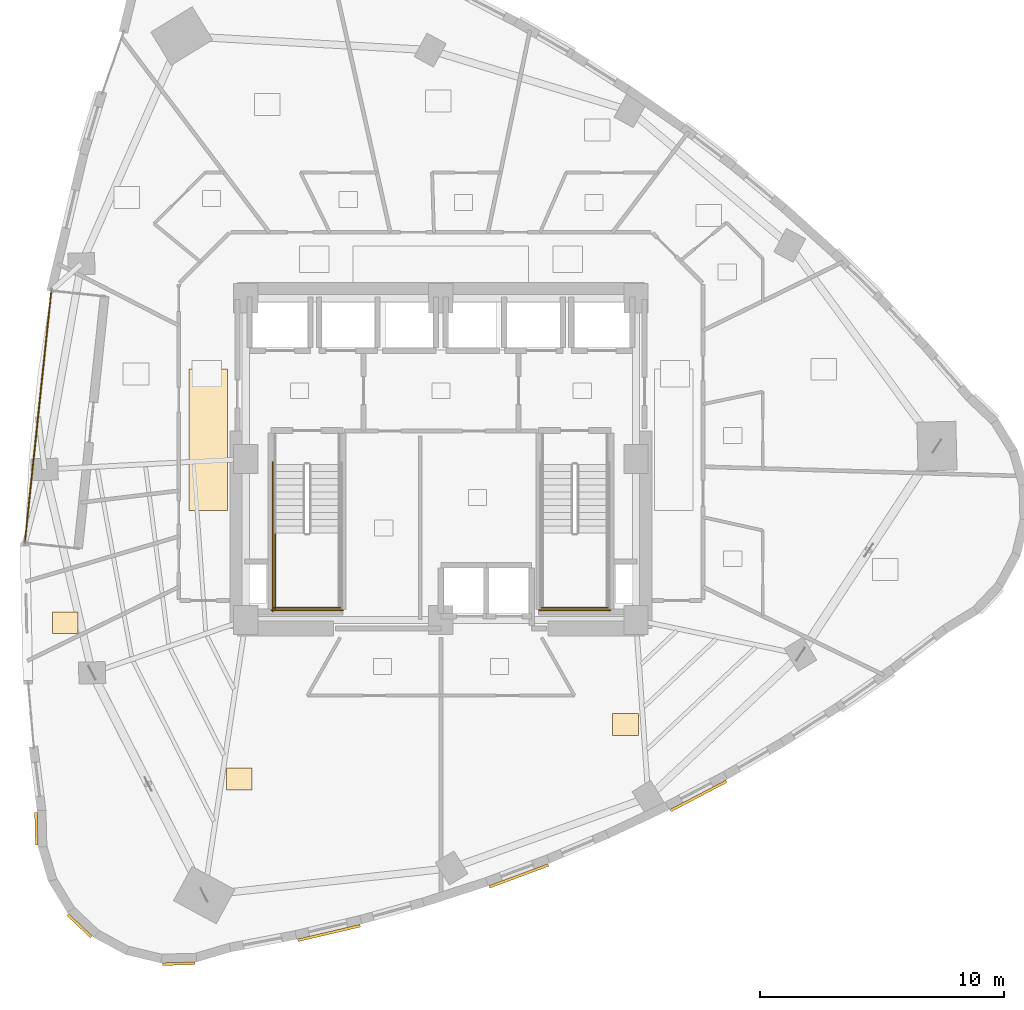
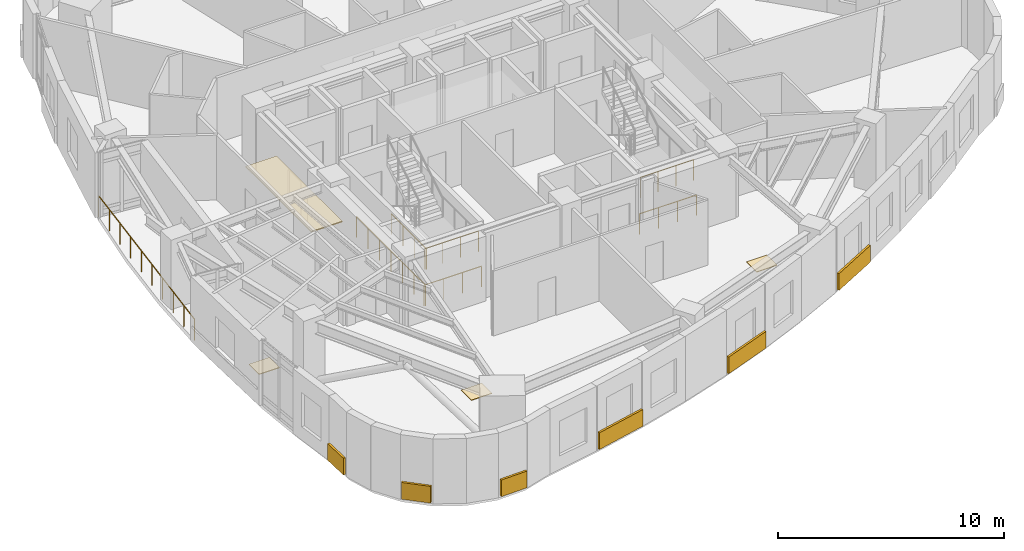
# One storey, part 14 of 16: 10 coverings, 7 railings.
"""IFC4 building model written with IfcOpenShell, lengths in metres."""

from ifc_helpers import new_model, si_unit, direction, frame, origin, origin_2d, place, context, subcontext, project, spatial, rectangle, circle, extrude, material, layer, layer_set, type_object, element, save


model = new_model("IFC4")

# Units and contexts
model_context = context("Model", 3, precision=1e-05, world=origin(), true_north=direction((0.0, 1.0)))
body_context = subcontext(model_context, "Body", "Model", "MODEL_VIEW")
ifc_project = project(units=[si_unit("LENGTHUNIT", "METRE"), si_unit("AREAUNIT", "SQUARE_METRE"), si_unit("VOLUMEUNIT", "CUBIC_METRE"), si_unit("PLANEANGLEUNIT", "RADIAN"), si_unit("MASSUNIT", "GRAM", prefix="KILO")], contexts=[model_context])

# Site, building, storey
site_placement = place(None, origin())
site = spatial("IfcSite", under=ifc_project, at=site_placement, CompositionType="ELEMENT")
building_placement = place(site_placement, origin())
building = spatial("IfcBuilding", under=site, at=building_placement, Name="Ndelora Gate Hotel", CompositionType="ELEMENT")
storey_placement = place(building_placement, frame((0.0, 0.0, 97.25)))
storey = spatial("IfcBuildingStorey", under=building, at=storey_placement, Name="L23", CompositionType="ELEMENT", Elevation=97.25)

# Coverings
ifc_material_1 = material(Name="Perforated Acoustic Gypsum Board", Category="gypsum")
ifc_layer_1 = layer(ifc_material_1, 0.054931640625)
ifc_layer_set_1 = layer_set([ifc_layer_1], Name="Perforated Acoustic Gypsum Board")
covering_type_1 = type_object("IfcCoveringType", Name="COV-CEIL-AC60", PredefinedType="CEILING", material=ifc_layer_set_1)
covering_1_placement = place(storey_placement, frame((-9.550048828125, 0.800048828125, 2.65234375), z_axis=(0.0, 0.0, 1.0), x_axis=(1.0, 0.0, 0.0)))
element("IfcCovering", 1, at=covering_1_placement, inside=storey, type_object=covering_type_1, Name="L23 Guest Corridor Acoustic Ceiling W", PredefinedType="CEILING", context=body_context, shape_type="SweptSolid", body=[
    extrude(rectangle(XDim=1.580078125, YDim=5.800048828125, at=origin_2d()), origin(), (0.0, 0.0, 1.0), 0.054931640625),
])
ifc_material_2 = material(Name="Terracotta Fired Clay Brick Slip Cladding", Category="masonry")
ifc_layer_2 = layer(ifc_material_2, 0.110107421875)
ifc_layer_set_2 = layer_set([ifc_layer_2], Name="Terracotta Fired Clay Brick Slip Cladding")
covering_type_2 = type_object("IfcCoveringType", Name="COV-CLAD-BRK", PredefinedType="CLADDING", material=ifc_layer_set_2)
for number, where, z_axis, x_axis, name in (
    (2, (-16.593994140625, -15.164306640625, 0.10009765625), (0.0, 0.0, 1.0), (-0.026176948308, 0.999657324976, 0.0), "L23 Rounded-Corner Brick Cladding Band 19"),
    (3, (-14.82373046875, -19.140380859375, 0.10009765625), (0.0, 0.0, 1.0), (-0.725374371012, 0.688354575694, 0.0), "L23 Rounded-Corner Brick Cladding Band 22"),
    (4, (-10.7607421875, -20.7001953125, 0.10009765625), (0.0, 0.0, 1.0), (0.999657324976, 0.026176948308, 0.0), "L23 Rounded-Corner Brick Cladding Band 25"),
):
    element("IfcCovering", number, at=place(storey_placement, frame(where, z_axis=z_axis, x_axis=x_axis)), inside=storey, type_object=covering_type_2, Name=name, PredefinedType="CLADDING", context=body_context, shape_type="SweptSolid", body=[
        extrude(rectangle(XDim=1.3359375, YDim=0.110107421875, at=origin_2d()), origin(), (0.0, 0.0, 1.0), 0.89990234375),
    ])
covering_2_placement = place(storey_placement, frame((-4.589111328125, -19.439453125, 0.10009765625), z_axis=(0.0, 0.0, 1.0), x_axis=(0.973698333648, 0.227841074111, 0.0)))
element("IfcCovering", 5, at=covering_2_placement, inside=storey, type_object=covering_type_2, Name="L23 Rounded-Corner Brick Cladding Band 28", PredefinedType="CLADDING", context=body_context, shape_type="SweptSolid", body=[
    extrude(rectangle(XDim=2.6279296875, YDim=0.110107421875, at=origin_2d()), origin(), (0.0, 0.0, 1.0), 0.89990234375),
])
for number, where, z_axis, x_axis, name in (
    (6, (3.19775390625, -17.098388671875, 0.10009765625), (0.0, 0.0, 1.0), (0.937585819058, 0.347753981862, 0.0), "L23 Rounded-Corner Brick Cladding Band 31"),
    (7, (10.56689453125, -13.8173828125, 0.10009765625), (0.0, 0.0, 1.0), (0.88579893978, 0.464069217127, 0.0), "L23 Rounded-Corner Brick Cladding Band 34"),
):
    element("IfcCovering", number, at=place(storey_placement, frame(where, z_axis=z_axis, x_axis=x_axis)), inside=storey, type_object=covering_type_2, Name=name, PredefinedType="CLADDING", context=body_context, shape_type="SweptSolid", body=[
        extrude(rectangle(XDim=2.583984375, YDim=0.110107421875, at=origin_2d()), origin(), (0.0, 0.0, 1.0), 0.89990234375),
    ])
ifc_material_3 = material(Name="Engineered Highland Oak Parquet", Category="wood")
ifc_layer_3 = layer(ifc_material_3, 0.030029296875)
ifc_layer_set_3 = layer_set([ifc_layer_3], Name="Engineered Highland Oak Parquet")
covering_type_3 = type_object("IfcCoveringType", Name="COV-FLR-PARQ", PredefinedType="FLOORING", material=ifc_layer_set_3)
for number, where, z_axis, x_axis, name in (
    (8, (-8.272705078125, -13.125732421875, 0.0), (0.0, 0.0, 1.0), (1.0, 0.0, 0.0), "L23 Club King Corner Suite 2601 Oak Parquet Flooring"),
    (9, (7.570068359375, -10.87744140625, 0.0), (0.0, 0.0, 1.0), (1.0, 0.0, 0.0), "L23 Club Twin Corner Suite 2602 Oak Parquet Flooring"),
    (10, (-15.40478515625, -6.713134765625, 0.0), (0.0, 0.0, 1.0), (1.0, 0.0, 0.0), "L23 Female Public Restroom Oak Parquet Flooring"),
):
    element("IfcCovering", number, at=place(storey_placement, frame(where, z_axis=z_axis, x_axis=x_axis)), inside=storey, type_object=covering_type_3, Name=name, PredefinedType="FLOORING", context=body_context, shape_type="SweptSolid", body=[
        extrude(rectangle(XDim=1.050048828125, YDim=0.89990234375, at=origin_2d()), origin(), (0.0, 0.0, 1.0), 0.030029296875),
    ])

# Railings
ifc_material_4 = material(Name="Laminated Safety Glass and Bronze Top Rail", Category="glass")
ifc_layer_4 = layer(ifc_material_4, 0.070068359375)
ifc_layer_set_4 = layer_set([ifc_layer_4], Name="Laminated Safety Glass and Bronze Top Rail")
railing_type_1 = type_object("IfcRailingType", Name="RL-BAL-1150", PredefinedType="BALUSTRADE", material=ifc_layer_set_4)
railing_1_placement = place(storey_placement, frame((-15.98095703125, 6.908203125, 0.0)))
element("IfcRailing", 11, at=railing_1_placement, inside=storey, type_object=railing_type_1, Name="L23 Sky-Garden Loggia Terrace Balustrade", PredefinedType="BALUSTRADE", context=body_context, shape_type="SweptSolid", body=[
    extrude(circle(Radius=0.02392578125, at=origin_2d()), frame((0.0, 0.0, 1.1357421875), z_axis=(-0.104534478571, -0.994521263116, 0.0), x_axis=(0.994521263116, -0.104534478571, 0.0)), (0.0, 0.0, 1.0), 10.39990234375),
    extrude(circle(Radius=0.02099609375, at=origin_2d()), origin(), (0.0, 0.0, 1.0), 1.11181640625),
    extrude(circle(Radius=0.02099609375, at=origin_2d()), frame((-0.120849609375, -1.149169921875, 0.0)), (0.0, 0.0, 1.0), 1.11181640625),
    extrude(circle(Radius=0.02099609375, at=origin_2d()), frame((-0.24169921875, -2.29833984375, 0.0)), (0.0, 0.0, 1.0), 1.11181640625),
    extrude(circle(Radius=0.02099609375, at=origin_2d()), frame((-0.3623046875, -3.44775390625, 0.0)), (0.0, 0.0, 1.0), 1.11181640625),
    extrude(circle(Radius=0.02099609375, at=origin_2d()), frame((-0.483154296875, -4.596923828125, 0.0)), (0.0, 0.0, 1.0), 1.11181640625),
    extrude(circle(Radius=0.02099609375, at=origin_2d()), frame((-0.60400390625, -5.74609375, 0.0)), (0.0, 0.0, 1.0), 1.11181640625),
    extrude(circle(Radius=0.02099609375, at=origin_2d()), frame((-0.724853515625, -6.895263671875, 0.0)), (0.0, 0.0, 1.0), 1.11181640625),
    extrude(circle(Radius=0.02099609375, at=origin_2d()), frame((-0.845458984375, -8.044677734375, 0.0)), (0.0, 0.0, 1.0), 1.11181640625),
    extrude(circle(Radius=0.02099609375, at=origin_2d()), frame((-0.96630859375, -9.19384765625, 0.0)), (0.0, 0.0, 1.0), 1.11181640625),
    extrude(circle(Radius=0.02099609375, at=origin_2d()), frame((-1.087158203125, -10.343017578125, 0.0)), (0.0, 0.0, 1.0), 1.11181640625),
])
ifc_material_5 = material(Name="Painted Galvanized Steel Balustrade", Category="steel")
ifc_layer_5 = layer(ifc_material_5, 0.06005859375)
ifc_layer_set_5 = layer_set([ifc_layer_5], Name="Painted Galvanized Steel Balustrade")
railing_type_2 = type_object("IfcRailingType", Name="RL-STAIR-GD", PredefinedType="GUARDRAIL", material=ifc_layer_set_5)
railing_2_placement = place(storey_placement, frame((-6.800048828125, -3.030029296875, 1.875)))
element("IfcRailing", 12, at=railing_2_placement, inside=storey, type_object=railing_type_2, Name="L23 ST4 stair guard 3", PredefinedType="GUARDRAIL", context=body_context, shape_type="SweptSolid", body=[
    extrude(circle(Radius=0.02392578125, at=origin_2d()), frame((0.0, 0.0, 1.10595703125), z_axis=(0.0, -1.0, 0.0), x_axis=(1.0, 0.0, 0.0)), (0.0, 0.0, 1.0), 3.119873046875),
    extrude(circle(Radius=0.02099609375, at=origin_2d()), origin(), (0.0, 0.0, 1.0), 1.081787109375),
    extrude(circle(Radius=0.02099609375, at=origin_2d()), frame((0.0, -1.0400390625, 0.0)), (0.0, 0.0, 1.0), 1.081787109375),
    extrude(circle(Radius=0.02099609375, at=origin_2d()), frame((0.0, -2.079833984375, 0.0)), (0.0, 0.0, 1.0), 1.081787109375),
    extrude(circle(Radius=0.02099609375, at=origin_2d()), frame((0.0, -3.119873046875, 0.0)), (0.0, 0.0, 1.0), 1.081787109375),
])
railing_3_placement = place(storey_placement, frame((-6.85009765625, -6.10009765625, 1.875)))
element("IfcRailing", 13, at=railing_3_placement, inside=storey, type_object=railing_type_2, Name="L23 ST4 stair guard 5", PredefinedType="GUARDRAIL", context=body_context, shape_type="SweptSolid", body=[
    extrude(circle(Radius=0.02392578125, at=origin_2d()), frame((0.0, 0.0, 1.10595703125), z_axis=(1.0, 0.0, 0.0), x_axis=(0.0, 1.0, 0.0)), (0.0, 0.0, 1.0), 2.72021484375),
    extrude(circle(Radius=0.02099609375, at=origin_2d()), origin(), (0.0, 0.0, 1.0), 1.081787109375),
    extrude(circle(Radius=0.02099609375, at=origin_2d()), frame((0.90673828125, 0.0, 0.0)), (0.0, 0.0, 1.0), 1.081787109375),
    extrude(circle(Radius=0.02099609375, at=origin_2d()), frame((1.8134765625, 0.0, 0.0)), (0.0, 0.0, 1.0), 1.081787109375),
    extrude(circle(Radius=0.02099609375, at=origin_2d()), frame((2.72021484375, 0.0, 0.0)), (0.0, 0.0, 1.0), 1.081787109375),
])
railing_4_placement = place(storey_placement, frame((-6.89990234375, -0.1298828125, 0.0)))
element("IfcRailing", 14, at=railing_4_placement, inside=storey, type_object=railing_type_2, Name="L23 ST4 stair guard 10", PredefinedType="GUARDRAIL", context=body_context, shape_type="SweptSolid", body=[
    extrude(circle(Radius=0.02392578125, at=origin_2d()), frame((0.0, 0.0, 1.10595703125), z_axis=(0.0, -1.0, 0.0), x_axis=(1.0, 0.0, 0.0)), (0.0, 0.0, 1.0), 6.1201171875),
    extrude(circle(Radius=0.02099609375, at=origin_2d()), origin(), (0.0, 0.0, 1.0), 1.081787109375),
    extrude(circle(Radius=0.02099609375, at=origin_2d()), frame((0.0, -1.02001953125, 0.0)), (0.0, 0.0, 1.0), 1.081787109375),
    extrude(circle(Radius=0.02099609375, at=origin_2d()), frame((0.0, -2.0400390625, 0.0)), (0.0, 0.0, 1.0), 1.081787109375),
    extrude(circle(Radius=0.02099609375, at=origin_2d()), frame((0.0, -3.06005859375, 0.0)), (0.0, 0.0, 1.0), 1.081787109375),
    extrude(circle(Radius=0.02099609375, at=origin_2d()), frame((0.0, -4.080078125, 0.0)), (0.0, 0.0, 1.0), 1.081787109375),
    extrude(circle(Radius=0.02099609375, at=origin_2d()), frame((0.0, -5.10009765625, 0.0)), (0.0, 0.0, 1.0), 1.081787109375),
    extrude(circle(Radius=0.02099609375, at=origin_2d()), frame((0.0, -6.1201171875, 0.0)), (0.0, 0.0, 1.0), 1.081787109375),
])
railing_5_placement = place(storey_placement, frame((-6.949951171875, -6.199951171875, 0.0)))
element("IfcRailing", 15, at=railing_5_placement, inside=storey, type_object=railing_type_2, Name="L23 ST4 stair guard 12", PredefinedType="GUARDRAIL", context=body_context, shape_type="SweptSolid", body=[
    extrude(circle(Radius=0.02392578125, at=origin_2d()), frame((0.0, 0.0, 1.10595703125), z_axis=(1.0, 0.0, 0.0), x_axis=(0.0, 1.0, 0.0)), (0.0, 0.0, 1.0), 2.919921875),
    extrude(circle(Radius=0.02099609375, at=origin_2d()), origin(), (0.0, 0.0, 1.0), 1.081787109375),
    extrude(circle(Radius=0.02099609375, at=origin_2d()), frame((0.973388671875, 0.0, 0.0)), (0.0, 0.0, 1.0), 1.081787109375),
    extrude(circle(Radius=0.02099609375, at=origin_2d()), frame((1.946533203125, 0.0, 0.0)), (0.0, 0.0, 1.0), 1.081787109375),
    extrude(circle(Radius=0.02099609375, at=origin_2d()), frame((2.919921875, 0.0, 0.0)), (0.0, 0.0, 1.0), 1.081787109375),
])
railing_6_placement = place(storey_placement, frame((4.1298828125, -6.10009765625, 1.875)))
element("IfcRailing", 16, at=railing_6_placement, inside=storey, type_object=railing_type_2, Name="L23 ST5 stair guard 5", PredefinedType="GUARDRAIL", context=body_context, shape_type="SweptSolid", body=[
    extrude(circle(Radius=0.02392578125, at=origin_2d()), frame((0.0, 0.0, 1.10595703125), z_axis=(1.0, 0.0, 0.0), x_axis=(0.0, 1.0, 0.0)), (0.0, 0.0, 1.0), 2.72021484375),
    extrude(circle(Radius=0.02099609375, at=origin_2d()), origin(), (0.0, 0.0, 1.0), 1.081787109375),
    extrude(circle(Radius=0.02099609375, at=origin_2d()), frame((0.90673828125, 0.0, 0.0)), (0.0, 0.0, 1.0), 1.081787109375),
    extrude(circle(Radius=0.02099609375, at=origin_2d()), frame((1.8134765625, 0.0, 0.0)), (0.0, 0.0, 1.0), 1.081787109375),
    extrude(circle(Radius=0.02099609375, at=origin_2d()), frame((2.72021484375, 0.0, 0.0)), (0.0, 0.0, 1.0), 1.081787109375),
])
railing_7_placement = place(storey_placement, frame((4.030029296875, -6.199951171875, 0.0)))
element("IfcRailing", 17, at=railing_7_placement, inside=storey, type_object=railing_type_2, Name="L23 ST5 stair guard 12", PredefinedType="GUARDRAIL", context=body_context, shape_type="SweptSolid", body=[
    extrude(circle(Radius=0.02392578125, at=origin_2d()), frame((0.0, 0.0, 1.10595703125), z_axis=(1.0, 0.0, 0.0), x_axis=(0.0, 1.0, 0.0)), (0.0, 0.0, 1.0), 2.919921875),
    extrude(circle(Radius=0.02099609375, at=origin_2d()), origin(), (0.0, 0.0, 1.0), 1.081787109375),
    extrude(circle(Radius=0.02099609375, at=origin_2d()), frame((0.973388671875, 0.0, 0.0)), (0.0, 0.0, 1.0), 1.081787109375),
    extrude(circle(Radius=0.02099609375, at=origin_2d()), frame((1.946533203125, 0.0, 0.0)), (0.0, 0.0, 1.0), 1.081787109375),
    extrude(circle(Radius=0.02099609375, at=origin_2d()), frame((2.919921875, 0.0, 0.0)), (0.0, 0.0, 1.0), 1.081787109375),
])

save(model, "model.ifc")
